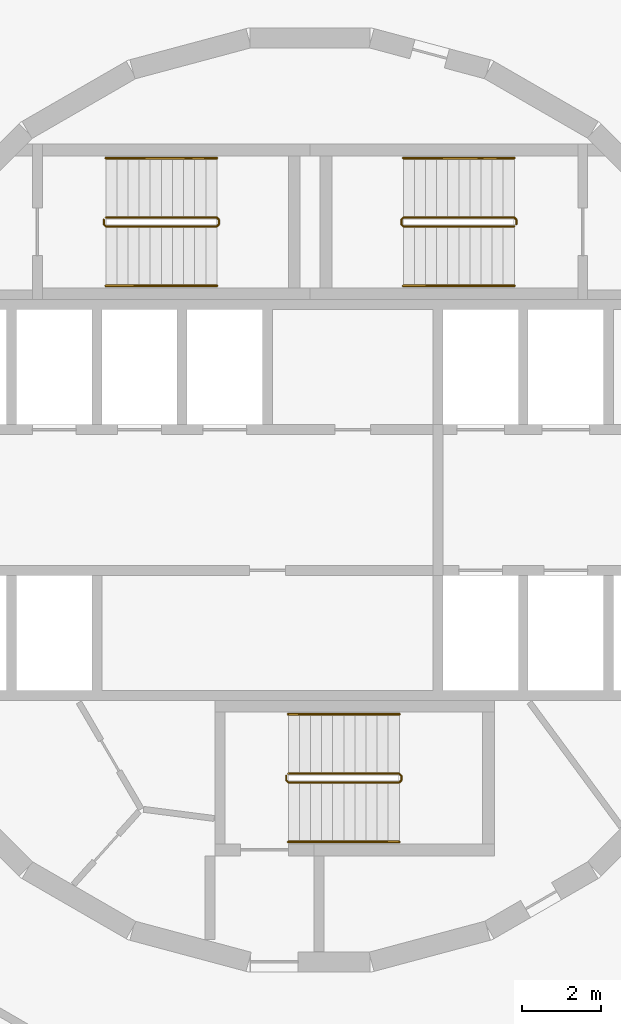
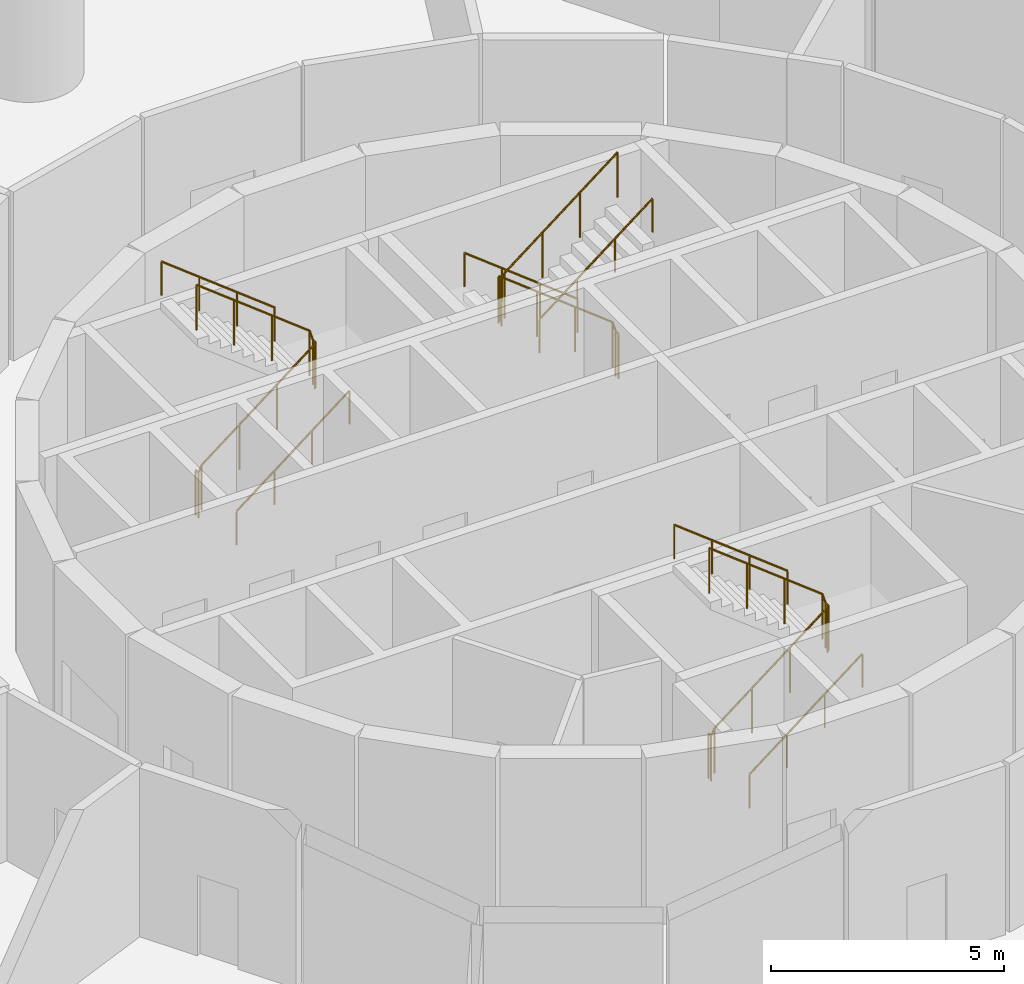
# One storey, part 17 of 17: 9 railings.
"""IFC4 building model written with IfcOpenShell, lengths in metres."""

from ifc_helpers import new_model, si_unit, direction, frame, origin, origin_2d, place, context, subcontext, project, spatial, circle, extrude, material, type_object, element, save


model = new_model("IFC4")

# Units and contexts
model_context = context("Model", 3, precision=1e-05, world=origin(), true_north=direction((0.0, 1.0)))
body_context = subcontext(model_context, "Body", "Model", "MODEL_VIEW")
ifc_project = project(units=[si_unit("LENGTHUNIT", "METRE"), si_unit("AREAUNIT", "SQUARE_METRE"), si_unit("VOLUMEUNIT", "CUBIC_METRE"), si_unit("PLANEANGLEUNIT", "RADIAN"), si_unit("MASSUNIT", "GRAM", prefix="KILO")], contexts=[model_context])

# Site, building, storey
site_placement = place(None, origin())
site = spatial("IfcSite", under=ifc_project, at=site_placement, CompositionType="ELEMENT")
building_placement = place(site_placement, origin())
building = spatial("IfcBuilding", under=site, at=building_placement, Name="Spindle Arch Residences", CompositionType="ELEMENT")
storey_placement = place(building_placement, frame((0.0, 0.0, 23.39990234375)))
storey = spatial("IfcBuildingStorey", under=building, at=storey_placement, Name="L04", CompositionType="ELEMENT", Elevation=23.39990234375)

# Railings
ifc_material_1 = material(Name="Steel, painted", Category="steel")
railing_type_1 = type_object("IfcRailingType", Name="Stair guard 1100", PredefinedType="GUARDRAIL", material=ifc_material_1)
railing_1_placement = place(storey_placement, frame((5.14990234375, 6.89990234375, 4.800048828125)))
element("IfcRailing", 1, at=railing_1_placement, inside=storey, type_object=railing_type_1, Name="L04 ST1 stair guard 1", PredefinedType="GUARDRAIL", context=body_context, shape_type="SweptSolid", body=[
    extrude(circle(Radius=0.02392578125, at=origin_2d()), frame((0.0, 0.0, 1.17578125), z_axis=(-0.788770406814, 0.0, -0.614687925157), x_axis=(0.0, -1.0, 0.0)), (0.0, 0.0, 1.0), 3.549560546875),
    extrude(circle(Radius=0.02392578125, at=origin_2d()), frame((-2.7998046875, 0.0, -1.005859375), z_axis=(-0.218344848091, 0.218344848091, -0.951131460222), x_axis=(-0.707106781187, -0.707106781187, 0.0)), (0.0, 0.0, 1.0), 0.229248046875),
    extrude(circle(Radius=0.02392578125, at=origin_2d()), frame((-2.849853515625, 0.050048828125, -1.22412109375), z_axis=(0.0, 1.0, 0.0), x_axis=(-1.0, 0.0, 0.0)), (0.0, 0.0, 1.0), 0.1201171875),
    extrude(circle(Radius=0.02392578125, at=origin_2d()), frame((-2.849853515625, 0.170166015625, -1.22412109375), z_axis=(0.707106781187, 0.707106781187, 0.0), x_axis=(-0.707106781187, 0.707106781187, 0.0)), (0.0, 0.0, 1.0), 0.07080078125),
    extrude(circle(Radius=0.02392578125, at=origin_2d()), frame((-2.7998046875, 0.22021484375, -1.22412109375), z_axis=(0.788770406814, 0.0, -0.614687925157), x_axis=(0.0, 1.0, 0.0)), (0.0, 0.0, 1.0), 3.549560546875),
    extrude(circle(Radius=0.02392578125, at=origin_2d()), frame((0.0, 0.22021484375, -3.40576171875), z_axis=(0.218123866557, -0.218123866557, -0.951232861962), x_axis=(0.707106781187, 0.707106781187, 0.0)), (0.0, 0.0, 1.0), 0.2294921875),
    extrude(circle(Radius=0.02392578125, at=origin_2d()), frame((0.050048828125, 0.170166015625, -3.6240234375), z_axis=(0.0, -1.0, 0.0), x_axis=(1.0, 0.0, 0.0)), (0.0, 0.0, 1.0), 0.1201171875),
    extrude(circle(Radius=0.02099609375, at=origin_2d()), origin(), (0.0, 0.0, 1.0), 1.15185546875),
    extrude(circle(Radius=0.02099609375, at=origin_2d()), frame((-0.933349609375, 0.0, -0.727294921875)), (0.0, 0.0, 1.0), 1.15185546875),
    extrude(circle(Radius=0.02099609375, at=origin_2d()), frame((-1.866455078125, 0.0, -1.45458984375)), (0.0, 0.0, 1.0), 1.15185546875),
    extrude(circle(Radius=0.02099609375, at=origin_2d()), frame((-2.7998046875, 0.0, -2.181884765625)), (0.0, 0.0, 1.0), 1.15185546875),
    extrude(circle(Radius=0.02099609375, at=origin_2d()), frame((-2.849853515625, 0.050048828125, -2.39990234375)), (0.0, 0.0, 1.0), 1.15185546875),
    extrude(circle(Radius=0.02099609375, at=origin_2d()), frame((-2.849853515625, 0.170166015625, -2.39990234375)), (0.0, 0.0, 1.0), 1.15185546875),
    extrude(circle(Radius=0.02099609375, at=origin_2d()), frame((-2.7998046875, 0.22021484375, -2.39990234375)), (0.0, 0.0, 1.0), 1.15185546875),
    extrude(circle(Radius=0.02099609375, at=origin_2d()), frame((-1.866455078125, 0.22021484375, -3.127197265625)), (0.0, 0.0, 1.0), 1.15185546875),
    extrude(circle(Radius=0.02099609375, at=origin_2d()), frame((-0.933349609375, 0.22021484375, -3.8544921875)), (0.0, 0.0, 1.0), 1.15185546875),
    extrude(circle(Radius=0.02099609375, at=origin_2d()), frame((0.0, 0.22021484375, -4.581787109375)), (0.0, 0.0, 1.0), 1.15185546875),
    extrude(circle(Radius=0.02099609375, at=origin_2d()), frame((0.050048828125, 0.170166015625, -4.800048828125)), (0.0, 0.0, 1.0), 1.15185546875),
    extrude(circle(Radius=0.02099609375, at=origin_2d()), frame((0.050048828125, 0.050048828125, -4.800048828125)), (0.0, 0.0, 1.0), 1.15185546875),
])
railing_2_placement = place(storey_placement, frame((-5.14990234375, 7.1201171875, 4.800048828125)))
element("IfcRailing", 2, at=railing_2_placement, inside=storey, type_object=railing_type_1, Name="L04 ST2 stair guard 1", PredefinedType="GUARDRAIL", context=body_context, shape_type="SweptSolid", body=[
    extrude(circle(Radius=0.02392578125, at=origin_2d()), frame((0.0, 0.0, 1.17578125), z_axis=(0.788770406814, 0.0, -0.614687925157), x_axis=(0.0, 1.0, 0.0)), (0.0, 0.0, 1.0), 3.549560546875),
    extrude(circle(Radius=0.02392578125, at=origin_2d()), frame((2.7998046875, 0.0, -1.005859375), z_axis=(0.218344848091, -0.218344848091, -0.951131460222), x_axis=(0.707106781187, 0.707106781187, 0.0)), (0.0, 0.0, 1.0), 0.229248046875),
    extrude(circle(Radius=0.02392578125, at=origin_2d()), frame((2.849853515625, -0.050048828125, -1.22412109375), z_axis=(0.0, -1.0, 0.0), x_axis=(1.0, 0.0, 0.0)), (0.0, 0.0, 1.0), 0.1201171875),
    extrude(circle(Radius=0.02392578125, at=origin_2d()), frame((2.849853515625, -0.170166015625, -1.22412109375), z_axis=(-0.707106781187, -0.707106781187, 0.0), x_axis=(0.707106781187, -0.707106781187, 0.0)), (0.0, 0.0, 1.0), 0.07080078125),
    extrude(circle(Radius=0.02392578125, at=origin_2d()), frame((2.7998046875, -0.22021484375, -1.22412109375), z_axis=(-0.788770406814, 0.0, -0.614687925157), x_axis=(0.0, -1.0, 0.0)), (0.0, 0.0, 1.0), 3.549560546875),
    extrude(circle(Radius=0.02392578125, at=origin_2d()), frame((0.0, -0.22021484375, -3.40576171875), z_axis=(-0.218123866557, 0.218123866557, -0.951232861962), x_axis=(-0.707106781187, -0.707106781187, 0.0)), (0.0, 0.0, 1.0), 0.2294921875),
    extrude(circle(Radius=0.02392578125, at=origin_2d()), frame((-0.050048828125, -0.170166015625, -3.6240234375), z_axis=(0.0, 1.0, 0.0), x_axis=(-1.0, 0.0, 0.0)), (0.0, 0.0, 1.0), 0.1201171875),
    extrude(circle(Radius=0.02099609375, at=origin_2d()), origin(), (0.0, 0.0, 1.0), 1.15185546875),
    extrude(circle(Radius=0.02099609375, at=origin_2d()), frame((0.933349609375, 0.0, -0.727294921875)), (0.0, 0.0, 1.0), 1.15185546875),
    extrude(circle(Radius=0.02099609375, at=origin_2d()), frame((1.866455078125, 0.0, -1.45458984375)), (0.0, 0.0, 1.0), 1.15185546875),
    extrude(circle(Radius=0.02099609375, at=origin_2d()), frame((2.7998046875, 0.0, -2.181884765625)), (0.0, 0.0, 1.0), 1.15185546875),
    extrude(circle(Radius=0.02099609375, at=origin_2d()), frame((2.849853515625, -0.050048828125, -2.39990234375)), (0.0, 0.0, 1.0), 1.15185546875),
    extrude(circle(Radius=0.02099609375, at=origin_2d()), frame((2.849853515625, -0.170166015625, -2.39990234375)), (0.0, 0.0, 1.0), 1.15185546875),
    extrude(circle(Radius=0.02099609375, at=origin_2d()), frame((2.7998046875, -0.22021484375, -2.39990234375)), (0.0, 0.0, 1.0), 1.15185546875),
    extrude(circle(Radius=0.02099609375, at=origin_2d()), frame((1.866455078125, -0.22021484375, -3.127197265625)), (0.0, 0.0, 1.0), 1.15185546875),
    extrude(circle(Radius=0.02099609375, at=origin_2d()), frame((0.933349609375, -0.22021484375, -3.8544921875)), (0.0, 0.0, 1.0), 1.15185546875),
    extrude(circle(Radius=0.02099609375, at=origin_2d()), frame((0.0, -0.22021484375, -4.581787109375)), (0.0, 0.0, 1.0), 1.15185546875),
    extrude(circle(Radius=0.02099609375, at=origin_2d()), frame((-0.050048828125, -0.170166015625, -4.800048828125)), (0.0, 0.0, 1.0), 1.15185546875),
    extrude(circle(Radius=0.02099609375, at=origin_2d()), frame((-0.050048828125, -0.050048828125, -4.800048828125)), (0.0, 0.0, 1.0), 1.15185546875),
])
railing_3_placement = place(storey_placement, frame((-0.550048828125, -6.89990234375, 4.800048828125)))
element("IfcRailing", 3, at=railing_3_placement, inside=storey, type_object=railing_type_1, Name="L04 ST3 stair guard 1", PredefinedType="GUARDRAIL", context=body_context, shape_type="SweptSolid", body=[
    extrude(circle(Radius=0.02392578125, at=origin_2d()), frame((0.0, 0.0, 1.17578125), z_axis=(0.788796392666, 0.0, -0.614654578538), x_axis=(0.0, 1.0, 0.0)), (0.0, 0.0, 1.0), 3.5498046875),
    extrude(circle(Radius=0.02392578125, at=origin_2d()), frame((2.800048828125, 0.0, -1.005859375), z_axis=(0.218344848091, -0.218344848091, -0.951131460222), x_axis=(0.707106781187, 0.707106781187, 0.0)), (0.0, 0.0, 1.0), 0.229248046875),
    extrude(circle(Radius=0.02392578125, at=origin_2d()), frame((2.85009765625, -0.050048828125, -1.22412109375), z_axis=(0.0, -1.0, 0.0), x_axis=(1.0, 0.0, 0.0)), (0.0, 0.0, 1.0), 0.1201171875),
    extrude(circle(Radius=0.02392578125, at=origin_2d()), frame((2.85009765625, -0.170166015625, -1.22412109375), z_axis=(-0.707106781187, -0.707106781187, 0.0), x_axis=(0.707106781187, -0.707106781187, 0.0)), (0.0, 0.0, 1.0), 0.07080078125),
    extrude(circle(Radius=0.02392578125, at=origin_2d()), frame((2.800048828125, -0.22021484375, -1.22412109375), z_axis=(-0.788796392666, 0.0, -0.614654578538), x_axis=(0.0, -1.0, 0.0)), (0.0, 0.0, 1.0), 3.5498046875),
    extrude(circle(Radius=0.02392578125, at=origin_2d()), frame((0.0, -0.22021484375, -3.40576171875), z_axis=(-0.218123866557, 0.218123866557, -0.951232861962), x_axis=(-0.707106781187, -0.707106781187, 0.0)), (0.0, 0.0, 1.0), 0.2294921875),
    extrude(circle(Radius=0.02392578125, at=origin_2d()), frame((-0.050048828125, -0.170166015625, -3.6240234375), z_axis=(0.0, 1.0, 0.0), x_axis=(-1.0, 0.0, 0.0)), (0.0, 0.0, 1.0), 0.1201171875),
    extrude(circle(Radius=0.02099609375, at=origin_2d()), origin(), (0.0, 0.0, 1.0), 1.15185546875),
    extrude(circle(Radius=0.02099609375, at=origin_2d()), frame((0.933349609375, 0.0, -0.727294921875)), (0.0, 0.0, 1.0), 1.15185546875),
    extrude(circle(Radius=0.02099609375, at=origin_2d()), frame((1.86669921875, 0.0, -1.45458984375)), (0.0, 0.0, 1.0), 1.15185546875),
    extrude(circle(Radius=0.02099609375, at=origin_2d()), frame((2.800048828125, 0.0, -2.181884765625)), (0.0, 0.0, 1.0), 1.15185546875),
    extrude(circle(Radius=0.02099609375, at=origin_2d()), frame((2.85009765625, -0.050048828125, -2.39990234375)), (0.0, 0.0, 1.0), 1.15185546875),
    extrude(circle(Radius=0.02099609375, at=origin_2d()), frame((2.85009765625, -0.170166015625, -2.39990234375)), (0.0, 0.0, 1.0), 1.15185546875),
    extrude(circle(Radius=0.02099609375, at=origin_2d()), frame((2.800048828125, -0.22021484375, -2.39990234375)), (0.0, 0.0, 1.0), 1.15185546875),
    extrude(circle(Radius=0.02099609375, at=origin_2d()), frame((1.86669921875, -0.22021484375, -3.127197265625)), (0.0, 0.0, 1.0), 1.15185546875),
    extrude(circle(Radius=0.02099609375, at=origin_2d()), frame((0.933349609375, -0.22021484375, -3.8544921875)), (0.0, 0.0, 1.0), 1.15185546875),
    extrude(circle(Radius=0.02099609375, at=origin_2d()), frame((0.0, -0.22021484375, -4.581787109375)), (0.0, 0.0, 1.0), 1.15185546875),
    extrude(circle(Radius=0.02099609375, at=origin_2d()), frame((-0.050048828125, -0.170166015625, -4.800048828125)), (0.0, 0.0, 1.0), 1.15185546875),
    extrude(circle(Radius=0.02099609375, at=origin_2d()), frame((-0.050048828125, -0.050048828125, -4.800048828125)), (0.0, 0.0, 1.0), 1.15185546875),
])
ifc_material_2 = material(Name="Steel, painted", Category="steel")
railing_type_2 = type_object("IfcRailingType", Name="Stair handrail 900", PredefinedType="HANDRAIL", material=ifc_material_2)
railing_4_placement = place(storey_placement, frame((5.14990234375, 8.6201171875, 0.21826171875)))
element("IfcRailing", 4, at=railing_4_placement, inside=storey, type_object=railing_type_2, Name="L04 ST1 stair handrail 1", PredefinedType="HANDRAIL", context=body_context, shape_type="SweptSolid", body=[
    extrude(circle(Radius=0.02392578125, at=origin_2d()), frame((0.0, 0.0, 0.8759765625), z_axis=(-0.788770406814, 0.0, 0.614687925157), x_axis=(0.0, -1.0, 0.0)), (0.0, 0.0, 1.0), 3.549560546875),
    extrude(circle(Radius=0.02099609375, at=origin_2d()), origin(), (0.0, 0.0, 1.0), 0.851806640625),
    extrude(circle(Radius=0.02099609375, at=origin_2d()), frame((-0.933349609375, 0.0, 0.727294921875)), (0.0, 0.0, 1.0), 0.851806640625),
    extrude(circle(Radius=0.02099609375, at=origin_2d()), frame((-1.866455078125, 0.0, 1.45458984375)), (0.0, 0.0, 1.0), 0.851806640625),
    extrude(circle(Radius=0.02099609375, at=origin_2d()), frame((-2.7998046875, 0.0, 2.181884765625)), (0.0, 0.0, 1.0), 0.851806640625),
])
for number, where, name in (
    (5, (2.35009765625, 5.39990234375, 2.6181640625), "L04 ST1 stair handrail 2"),
    (6, (-5.14990234375, 5.39990234375, 0.21826171875), "L04 ST2 stair handrail 1"),
):
    element("IfcRailing", number, at=place(storey_placement, frame(where)), inside=storey, type_object=railing_type_2, Name=name, PredefinedType="HANDRAIL", context=body_context, shape_type="SweptSolid", body=[
        extrude(circle(Radius=0.02392578125, at=origin_2d()), frame((0.0, 0.0, 0.8759765625), z_axis=(0.788770406814, 0.0, 0.614687925157), x_axis=(0.0, 1.0, 0.0)), (0.0, 0.0, 1.0), 3.549560546875),
        extrude(circle(Radius=0.02099609375, at=origin_2d()), origin(), (0.0, 0.0, 1.0), 0.851806640625),
        extrude(circle(Radius=0.02099609375, at=origin_2d()), frame((0.933349609375, 0.0, 0.727294921875)), (0.0, 0.0, 1.0), 0.851806640625),
        extrude(circle(Radius=0.02099609375, at=origin_2d()), frame((1.866455078125, 0.0, 1.45458984375)), (0.0, 0.0, 1.0), 0.851806640625),
        extrude(circle(Radius=0.02099609375, at=origin_2d()), frame((2.7998046875, 0.0, 2.181884765625)), (0.0, 0.0, 1.0), 0.851806640625),
    ])
railing_5_placement = place(storey_placement, frame((-2.35009765625, 8.6201171875, 2.6181640625)))
element("IfcRailing", 7, at=railing_5_placement, inside=storey, type_object=railing_type_2, Name="L04 ST2 stair handrail 2", PredefinedType="HANDRAIL", context=body_context, shape_type="SweptSolid", body=[
    extrude(circle(Radius=0.02392578125, at=origin_2d()), frame((0.0, 0.0, 0.8759765625), z_axis=(-0.788770406814, 0.0, 0.614687925157), x_axis=(0.0, -1.0, 0.0)), (0.0, 0.0, 1.0), 3.549560546875),
    extrude(circle(Radius=0.02099609375, at=origin_2d()), origin(), (0.0, 0.0, 1.0), 0.851806640625),
    extrude(circle(Radius=0.02099609375, at=origin_2d()), frame((-0.933349609375, 0.0, 0.727294921875)), (0.0, 0.0, 1.0), 0.851806640625),
    extrude(circle(Radius=0.02099609375, at=origin_2d()), frame((-1.866455078125, 0.0, 1.45458984375)), (0.0, 0.0, 1.0), 0.851806640625),
    extrude(circle(Radius=0.02099609375, at=origin_2d()), frame((-2.7998046875, 0.0, 2.181884765625)), (0.0, 0.0, 1.0), 0.851806640625),
])
railing_6_placement = place(storey_placement, frame((-0.550048828125, -8.6201171875, 0.21826171875)))
element("IfcRailing", 8, at=railing_6_placement, inside=storey, type_object=railing_type_2, Name="L04 ST3 stair handrail 1", PredefinedType="HANDRAIL", context=body_context, shape_type="SweptSolid", body=[
    extrude(circle(Radius=0.02392578125, at=origin_2d()), frame((0.0, 0.0, 0.8759765625), z_axis=(0.788796392666, 0.0, 0.614654578538), x_axis=(0.0, 1.0, 0.0)), (0.0, 0.0, 1.0), 3.5498046875),
    extrude(circle(Radius=0.02099609375, at=origin_2d()), origin(), (0.0, 0.0, 1.0), 0.851806640625),
    extrude(circle(Radius=0.02099609375, at=origin_2d()), frame((0.933349609375, 0.0, 0.727294921875)), (0.0, 0.0, 1.0), 0.851806640625),
    extrude(circle(Radius=0.02099609375, at=origin_2d()), frame((1.86669921875, 0.0, 1.45458984375)), (0.0, 0.0, 1.0), 0.851806640625),
    extrude(circle(Radius=0.02099609375, at=origin_2d()), frame((2.800048828125, 0.0, 2.181884765625)), (0.0, 0.0, 1.0), 0.851806640625),
])
railing_7_placement = place(storey_placement, frame((2.25, -5.39990234375, 2.6181640625)))
element("IfcRailing", 9, at=railing_7_placement, inside=storey, type_object=railing_type_2, Name="L04 ST3 stair handrail 2", PredefinedType="HANDRAIL", context=body_context, shape_type="SweptSolid", body=[
    extrude(circle(Radius=0.02392578125, at=origin_2d()), frame((0.0, 0.0, 0.8759765625), z_axis=(-0.788796392666, 0.0, 0.614654578538), x_axis=(0.0, -1.0, 0.0)), (0.0, 0.0, 1.0), 3.5498046875),
    extrude(circle(Radius=0.02099609375, at=origin_2d()), origin(), (0.0, 0.0, 1.0), 0.851806640625),
    extrude(circle(Radius=0.02099609375, at=origin_2d()), frame((-0.933349609375, 0.0, 0.727294921875)), (0.0, 0.0, 1.0), 0.851806640625),
    extrude(circle(Radius=0.02099609375, at=origin_2d()), frame((-1.86669921875, 0.0, 1.45458984375)), (0.0, 0.0, 1.0), 0.851806640625),
    extrude(circle(Radius=0.02099609375, at=origin_2d()), frame((-2.800048828125, 0.0, 2.181884765625)), (0.0, 0.0, 1.0), 0.851806640625),
])

save(model, "model.ifc")
